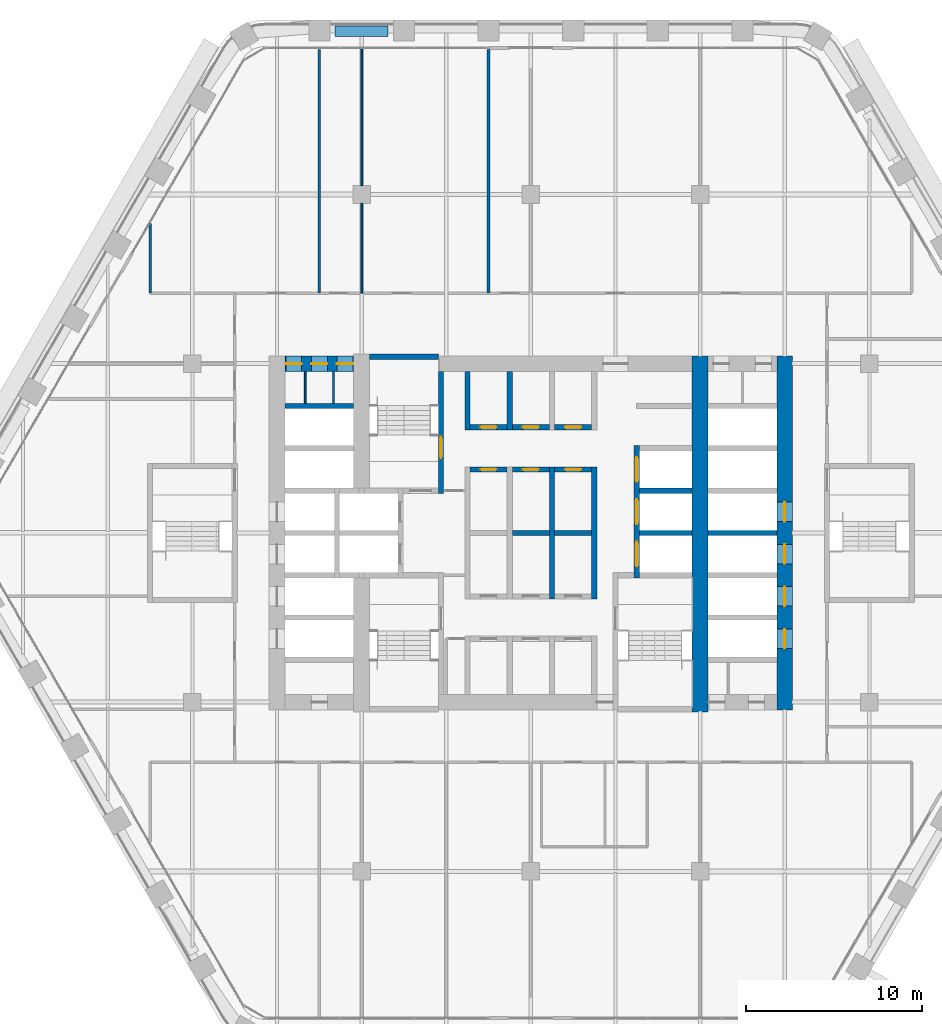
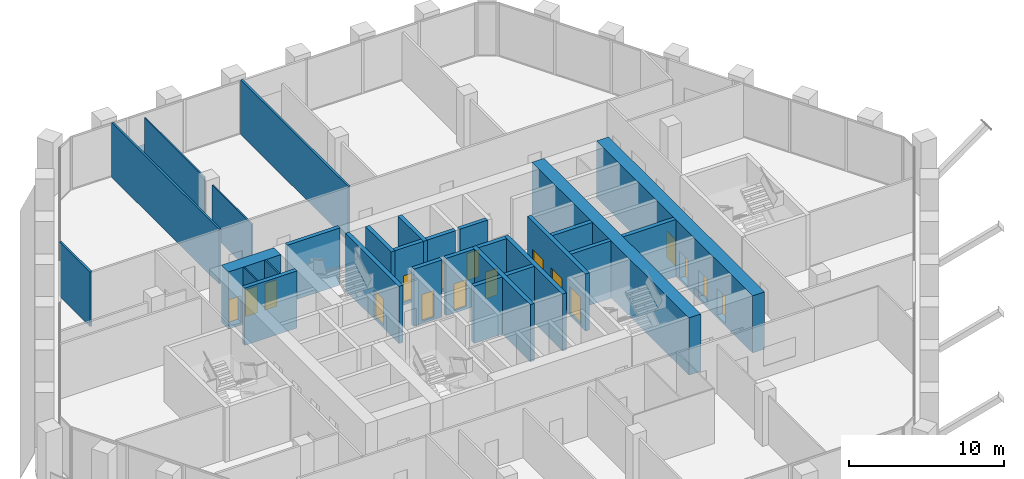
# One storey, part 16 of 24: 30 walls, 17 doors, 17 openings.
"""IFC4 building model written with IfcOpenShell, lengths in metres."""

import ifcopenshell
import ifcopenshell.guid

model = None  # the IFC model being written
_history = None  # IfcOwnerHistory: only IFC2X3 demands one
_inside = {}  # id of a spatial element -> (the spatial element, [elements in it])
_under = {}  # id of a project, library or spatial element -> (it, [spatial elements below it])
_declared = {}  # id of a project -> (the project, [libraries it declares])
_typed = {}  # id of a type object -> (the type object, [elements of that type])
_made_of = {}  # id of a material, layer set ... -> (it, [elements and type objects made of it])


def new_model(schema):
    """Start an empty IFC model of exactly this schema.

    Asked for "IFC4X3", IfcOpenShell would pick the latest addendum, in which some entities
    have other attributes; the version numbers below select the first issue.
    IFC2X3 requires an IfcOwnerHistory on every rooted entity: one is made here for all.
    """
    global model, _history
    if schema == "IFC4X3":
        model = ifcopenshell.file(schema_version=(4, 3, 0, 0))
    else:
        model = ifcopenshell.file(schema=schema)
    _inside.clear()
    _under.clear()
    _declared.clear()
    _typed.clear()
    _made_of.clear()
    _history = None
    if model.schema == "IFC2X3":
        org = make("IfcOrganization", Name="unknown")
        user = make(
            "IfcPersonAndOrganization",
            ThePerson=make("IfcPerson", FamilyName="unknown"),
            TheOrganization=org,
        )
        app = make(
            "IfcApplication",
            ApplicationDeveloper=org,
            Version="unknown",
            ApplicationFullName="unknown",
            ApplicationIdentifier="unknown",
        )
        _history = make(
            "IfcOwnerHistory",
            OwningUser=user,
            OwningApplication=app,
            ChangeAction="ADDED",
            CreationDate=0,
        )
    return model


def make(cls, **values):
    """One entity of the class cls with the attributes given. An attribute that is None is left unset."""
    return model.create_entity(
        cls, **{name: value for name, value in values.items() if value is not None}
    )


def rooted(cls, **values):
    """An entity with a GlobalId (a new one), such as an element, a storey or a relation."""
    return make(cls, GlobalId=ifcopenshell.guid.new(), OwnerHistory=_history, **values)


def si_unit(unit_type, name, prefix=None):
    """IfcSIUnit, for example si_unit("LENGTHUNIT", "METRE", prefix="MILLI")."""
    return make("IfcSIUnit", UnitType=unit_type, Prefix=prefix, Name=name)


def assignment(units):
    """IfcUnitAssignment: the units of a project."""
    return None if units is None else make("IfcUnitAssignment", Units=units)


def point(xyz):
    """IfcCartesianPoint."""
    return None if xyz is None else make("IfcCartesianPoint", Coordinates=xyz)


def direction(xyz):
    """IfcDirection."""
    return None if xyz is None else make("IfcDirection", DirectionRatios=xyz)


def frame(location, z_axis=None, x_axis=None):
    """IfcAxis2Placement3D, a coordinate frame: its origin and axes. An axis left out is left unset."""
    return make(
        "IfcAxis2Placement3D",
        Location=point(location),
        Axis=direction(z_axis),
        RefDirection=direction(x_axis),
    )


def frame_2d(location, x_axis=None):
    """IfcAxis2Placement2D, a coordinate frame in the plane: its origin and x axis."""
    return make(
        "IfcAxis2Placement2D", Location=point(location), RefDirection=direction(x_axis)
    )


def origin():
    """The frame at (0, 0, 0) with its axes left unset."""
    return frame((0.0, 0.0, 0.0))


def place(relative_to, where):
    """IfcLocalPlacement: puts the frame where relative to a parent placement (None: the world)."""
    return make(
        "IfcLocalPlacement", PlacementRelTo=relative_to, RelativePlacement=where
    )


def context(
    kind, dimensions, precision=None, world=None, true_north=None, identifier=None
):
    """IfcGeometricRepresentationContext, for example the 3D "Model" context."""
    return make(
        "IfcGeometricRepresentationContext",
        ContextIdentifier=identifier,
        ContextType=kind,
        CoordinateSpaceDimension=dimensions,
        Precision=precision,
        WorldCoordinateSystem=world,
        TrueNorth=true_north,
    )


def subcontext(parent, identifier, kind, view, scale=None):
    """IfcGeometricRepresentationSubContext, for example "Body" below "Model"."""
    return make(
        "IfcGeometricRepresentationSubContext",
        ContextIdentifier=identifier,
        ContextType=kind,
        ParentContext=parent,
        TargetScale=scale,
        TargetView=view,
    )


def project(units=None, contexts=None):
    """IfcProject with its units and contexts."""
    return rooted(
        "IfcProject",
        Name="project",
        RepresentationContexts=contexts,
        UnitsInContext=assignment(units),
    )


def spatial(cls, under=None, at=None, **own):
    """A site, building, storey or space (cls), placed at a placement, below another one or the project."""
    s = rooted(cls, ObjectPlacement=at, **own)
    if under is not None:
        _under.setdefault(under.id(), (under, []))[1].append(s)
    return s


def profile(cls, at=None, kind="AREA", **sizes):
    """A parametric profile (cls). Its sizes go by their IFC names, for example OverallWidth=200.0."""
    return make(cls, ProfileType=kind, Position=at, **sizes)


def rectangle(**sizes):
    """IfcRectangleProfileDef."""
    return profile("IfcRectangleProfileDef", **sizes)


def extrude(swept, where, along, depth):
    """IfcExtrudedAreaSolid: the profile swept, set in the frame where, extruded along a direction by depth."""
    return make(
        "IfcExtrudedAreaSolid",
        SweptArea=swept,
        Position=where,
        ExtrudedDirection=direction(along),
        Depth=depth,
    )


def shape(context_of_items, identifier, shape_type, items):
    """IfcShapeRepresentation: the items that make up one representation, for example the "Body"."""
    return make(
        "IfcShapeRepresentation",
        ContextOfItems=context_of_items,
        RepresentationIdentifier=identifier,
        RepresentationType=shape_type,
        Items=items,
    )


def material(Name=None, Category=None):
    """IfcMaterial."""
    return make("IfcMaterial", Name=Name, Category=Category)


def layer(
    of_material, thickness, ventilated=None, Name=None, Category=None, Priority=None
):
    """IfcMaterialLayer: one layer of a wall or slab, of a material (None: an air gap)."""
    return make(
        "IfcMaterialLayer",
        Material=of_material,
        LayerThickness=thickness,
        IsVentilated=ventilated,
        Name=Name,
        Category=Category,
        Priority=Priority,
    )


def layer_set(layers, Name=None):
    """IfcMaterialLayerSet."""
    return make("IfcMaterialLayerSet", MaterialLayers=layers, LayerSetName=Name)


def made_of(thing, what):
    """Note that an element or type object is made of a material, layer set ...; save() writes the relation."""
    if what is not None:
        _made_of.setdefault(what.id(), (what, []))[1].append(thing)
    return thing


def type_object(cls, material=None, **own):
    """A type object (cls), such as IfcWallType, which elements share."""
    return made_of(rooted(cls, **own), material)


def element(
    cls,
    number,
    at=None,
    inside=None,
    cuts=None,
    type_object=None,
    material=None,
    context=None,
    identifier="Body",
    shape_type=None,
    held_by="IfcProductDefinitionShape",
    body=None,
    shapes=None,
    **own,
):
    """One element of the class cls, such as IfcWall. Its Tag is "e" and its number.

    at: its placement. inside: the storey or other place that contains it. cuts: it is an
    opening in that element (IfcRelVoidsElement). A single representation is given by context,
    identifier, shape_type and body (its items); several are given by shapes. held_by: the class
    of the entity that holds the representations. save() writes the other relations.
    """
    e = rooted(cls, Tag="e%d" % number, ObjectPlacement=at, **own)
    if body is not None:
        shapes = [shape(context, identifier, shape_type, body)]
    if shapes is not None:
        e.Representation = make(held_by, Representations=shapes)
    if inside is not None:
        _inside.setdefault(inside.id(), (inside, []))[1].append(e)
    if cuts is not None:
        rooted(
            "IfcRelVoidsElement", RelatingBuildingElement=cuts, RelatedOpeningElement=e
        )
    if type_object is not None:
        _typed.setdefault(type_object.id(), (type_object, []))[1].append(e)
    return made_of(e, material)


def fill(opening, filler):
    """IfcRelFillsElement: the door or window that sits in an opening."""
    return rooted(
        "IfcRelFillsElement",
        RelatingOpeningElement=opening,
        RelatedBuildingElement=filler,
    )


def aggregate(whole, parts):
    """IfcRelAggregates: a whole, such as a stair, and the parts it consists of."""
    return rooted("IfcRelAggregates", RelatingObject=whole, RelatedObjects=parts)


def save(model, path):
    """Write the relations noted so far, then the file.

    IfcRelAggregates (storeys below a building ...), IfcRelContainedInSpatialStructure (elements
    in a storey), IfcRelDefinesByType, IfcRelAssociatesMaterial and IfcRelDeclares: one each for
    every whole, place, type object, material and project.
    """
    for whole, parts in _under.values():
        aggregate(whole, parts)
    for where, things in _inside.values():
        rooted(
            "IfcRelContainedInSpatialStructure",
            RelatedElements=things,
            RelatingStructure=where,
        )
    for kind, things in _typed.values():
        rooted("IfcRelDefinesByType", RelatedObjects=things, RelatingType=kind)
    for what, things in _made_of.values():
        rooted("IfcRelAssociatesMaterial", RelatedObjects=things, RelatingMaterial=what)
    for by, libraries in _declared.values():
        rooted("IfcRelDeclares", RelatingContext=by, RelatedDefinitions=libraries)
    model.write(path)


model = new_model("IFC4")

# Units and contexts
model_context = context("Model", 3, precision=1e-05, world=origin(), true_north=direction((0.0, 1.0)))
body_context = subcontext(model_context, "Body", "Model", "MODEL_VIEW")
ifc_project = project(units=[si_unit("LENGTHUNIT", "METRE"), si_unit("AREAUNIT", "SQUARE_METRE"), si_unit("VOLUMEUNIT", "CUBIC_METRE"), si_unit("PLANEANGLEUNIT", "RADIAN"), si_unit("MASSUNIT", "GRAM", prefix="KILO")], contexts=[model_context])

# Site, building, storey
site_placement = place(None, origin())
site = spatial("IfcSite", under=ifc_project, at=site_placement, CompositionType="ELEMENT")
building_placement = place(site_placement, origin())
building = spatial("IfcBuilding", under=site, at=building_placement, Name="Kolab Exchange Tower", CompositionType="ELEMENT")
storey_placement = place(building_placement, frame((0.0, 0.0, 86.89990234375)))
storey = spatial("IfcBuildingStorey", under=building, at=storey_placement, Name="L16", CompositionType="ELEMENT", Elevation=86.89990234375)

# Wall, openings, doors
ifc_material_1 = material(Name="Concrete C70/85", Category="concrete")
ifc_layer_1 = layer(ifc_material_1, 0.89990234375)
ifc_layer_set_1 = layer_set([ifc_layer_1], Name="Concrete C70/85")
wall_type_1 = type_object("IfcWallType", Name="CORE WALL 900 C70/85", PredefinedType="SHEAR", material=ifc_layer_set_1)
wall_1_placement = place(storey_placement, frame((-13.949951171875, 9.60009765625, -0.199951171875), z_axis=(0.0, 0.0, 1.0), x_axis=(1.0, 0.0, 0.0)))
wall_1 = element("IfcWall", 1, at=wall_1_placement, inside=storey, type_object=wall_type_1, Name="wall/L16/core/051", PredefinedType="SHEAR", context=body_context, shape_type="SweptSolid", body=[
    extrude(rectangle(XDim=3.89990234375, YDim=0.89990234375, at=frame_2d((1.949951171875, 0.0))), origin(), (0.0, 0.0, 1.0), 4.5),
])
opening_1_placement = place(wall_1_placement, frame((0.050048828125, 0.0, 0.199951171875)))
opening_1 = element("IfcOpeningElement", 2, at=opening_1_placement, cuts=wall_1, Name="Opening D6-217", PredefinedType="OPENING", context=body_context, shape_type="SweptSolid", body=[
    extrude(rectangle(XDim=0.89990234375, YDim=2.10009765625, at=frame_2d((0.449951171875, 1.050048828125))), frame((0.0, 0.4599609375, 0.0), z_axis=(0.0, -1.0, 0.0), x_axis=(1.0, 0.0, 0.0)), (0.0, 0.0, 1.0), 0.919921875),
])
opening_2_placement = place(wall_1_placement, frame((1.5, 0.0, 0.199951171875)))
opening_2 = element("IfcOpeningElement", 3, at=opening_2_placement, cuts=wall_1, Name="Opening D6-218", PredefinedType="OPENING", context=body_context, shape_type="SweptSolid", body=[
    extrude(rectangle(XDim=0.89990234375, YDim=2.10009765625, at=frame_2d((0.449951171875, 1.050048828125))), frame((0.0, 0.4599609375, 0.0), z_axis=(0.0, -1.0, 0.0), x_axis=(1.0, 0.0, 0.0)), (0.0, 0.0, 1.0), 0.919921875),
])
opening_3_placement = place(wall_1_placement, frame((2.949951171875, 0.0, 0.199951171875)))
opening_3 = element("IfcOpeningElement", 4, at=opening_3_placement, cuts=wall_1, Name="Opening D6-206", PredefinedType="OPENING", context=body_context, shape_type="SweptSolid", body=[
    extrude(rectangle(XDim=0.89990234375, YDim=2.10009765625, at=frame_2d((0.449951171875, 1.050048828125))), frame((0.0, 0.4599609375, 0.0), z_axis=(0.0, -1.0, 0.0), x_axis=(1.0, 0.0, 0.0)), (0.0, 0.0, 1.0), 0.919921875),
])
ifc_material_2 = material(Name="Steel S235", Category="steel")
door_type_1 = type_object("IfcDoorType", Name="CORE DOOR 900 EI 120", OperationType="SINGLE_SWING_LEFT", PredefinedType="DOOR", material=ifc_material_2)
door_1_placement = place(opening_1_placement, frame((0.89990234375, 0.0, 0.0), z_axis=(0.0, 0.0, 1.0), x_axis=(-1.0, 0.0, 0.0)))
door_1 = element("IfcDoor", 5, at=door_1_placement, inside=storey, type_object=door_type_1, Name="Service room door", OperationType="SINGLE_SWING_RIGHT", OverallHeight=2.10009765625, OverallWidth=0.89990234375, PredefinedType="DOOR", context=body_context, shape_type="SweptSolid", body=[
    extrude(rectangle(XDim=0.89990234375, YDim=2.10009765625, at=frame_2d((0.449951171875, 1.050048828125))), frame((0.0, 0.02490234375, 0.0), z_axis=(0.0, -1.0, 0.0), x_axis=(1.0, 0.0, 0.0)), (0.0, 0.0, 1.0), 0.050048828125),
])
fill(opening_1, door_1)
door_2_placement = place(opening_2_placement, frame((0.89990234375, 0.0, 0.0), z_axis=(0.0, 0.0, 1.0), x_axis=(-1.0, 0.0, 0.0)))
door_2 = element("IfcDoor", 6, at=door_2_placement, inside=storey, type_object=door_type_1, Name="Service room door", OperationType="SINGLE_SWING_LEFT", OverallHeight=2.10009765625, OverallWidth=0.89990234375, PredefinedType="DOOR", context=body_context, shape_type="SweptSolid", body=[
    extrude(rectangle(XDim=0.89990234375, YDim=2.10009765625, at=frame_2d((0.449951171875, 1.050048828125))), frame((0.0, 0.02490234375, 0.0), z_axis=(0.0, -1.0, 0.0), x_axis=(1.0, 0.0, 0.0)), (0.0, 0.0, 1.0), 0.050048828125),
])
fill(opening_2, door_2)
door_3_placement = place(opening_3_placement, frame((0.89990234375, 0.0, 0.0), z_axis=(0.0, 0.0, 1.0), x_axis=(-1.0, 0.0, 0.0)))
door_3 = element("IfcDoor", 7, at=door_3_placement, inside=storey, type_object=door_type_1, Name="Service room door", OperationType="SINGLE_SWING_LEFT", OverallHeight=2.10009765625, OverallWidth=0.89990234375, PredefinedType="DOOR", context=body_context, shape_type="SweptSolid", body=[
    extrude(rectangle(XDim=0.89990234375, YDim=2.10009765625, at=frame_2d((0.449951171875, 1.050048828125))), frame((0.0, 0.02490234375, 0.0), z_axis=(0.0, -1.0, 0.0), x_axis=(1.0, 0.0, 0.0)), (0.0, 0.0, 1.0), 0.050048828125),
])
fill(opening_3, door_3)

# Wall
wall_2_placement = place(storey_placement, frame((9.60009765625, -10.14990234375, -0.199951171875), z_axis=(0.0, 0.0, 1.0), x_axis=(0.0, 1.0, 0.0)))
element("IfcWall", 8, at=wall_2_placement, inside=storey, type_object=wall_type_1, Name="wall/L16/core/080", PredefinedType="SHEAR", context=body_context, shape_type="SweptSolid", body=[
    extrude(rectangle(XDim=20.199951171875, YDim=0.89990234375, at=frame_2d((10.10009765625, 0.0))), origin(), (0.0, 0.0, 1.0), 4.5),
])

# Wall, openings, doors
wall_3_placement = place(storey_placement, frame((14.39990234375, -10.050048828125, -0.199951171875), z_axis=(0.0, 0.0, 1.0), x_axis=(0.0, 1.0, 0.0)))
wall_3 = element("IfcWall", 9, at=wall_3_placement, inside=storey, type_object=wall_type_1, Name="wall/L16/core/081", PredefinedType="SHEAR", context=body_context, shape_type="SweptSolid", body=[
    extrude(rectangle(XDim=20.10009765625, YDim=0.89990234375, at=frame_2d((10.050048828125, 0.0))), origin(), (0.0, 0.0, 1.0), 4.5),
])
opening_4_placement = place(wall_3_placement, frame((3.5, 0.0, 0.199951171875)))
opening_4 = element("IfcOpeningElement", 10, at=opening_4_placement, cuts=wall_3, Name="Opening LD1-069", PredefinedType="OPENING", context=body_context, shape_type="SweptSolid", body=[
    extrude(rectangle(XDim=1.10009765625, YDim=2.10009765625, at=frame_2d((0.550048828125, 1.050048828125))), frame((0.0, 0.4599609375, 0.0), z_axis=(0.0, -1.0, 0.0), x_axis=(1.0, 0.0, 0.0)), (0.0, 0.0, 1.0), 0.919921875),
])
opening_5_placement = place(wall_3_placement, frame((5.89990234375, 0.0, 0.199951171875)))
opening_5 = element("IfcOpeningElement", 11, at=opening_5_placement, cuts=wall_3, Name="Opening LD1-070", PredefinedType="OPENING", context=body_context, shape_type="SweptSolid", body=[
    extrude(rectangle(XDim=1.10009765625, YDim=2.10009765625, at=frame_2d((0.550048828125, 1.050048828125))), frame((0.0, 0.4599609375, 0.0), z_axis=(0.0, -1.0, 0.0), x_axis=(1.0, 0.0, 0.0)), (0.0, 0.0, 1.0), 0.919921875),
])
opening_6_placement = place(wall_3_placement, frame((8.300048828125, 0.0, 0.199951171875)))
opening_6 = element("IfcOpeningElement", 12, at=opening_6_placement, cuts=wall_3, Name="Opening LD1-071", PredefinedType="OPENING", context=body_context, shape_type="SweptSolid", body=[
    extrude(rectangle(XDim=1.10009765625, YDim=2.10009765625, at=frame_2d((0.550048828125, 1.050048828125))), frame((0.0, 0.4599609375, 0.0), z_axis=(0.0, -1.0, 0.0), x_axis=(1.0, 0.0, 0.0)), (0.0, 0.0, 1.0), 0.919921875),
])
opening_7_placement = place(wall_3_placement, frame((10.699951171875, 0.0, 0.199951171875)))
opening_7 = element("IfcOpeningElement", 13, at=opening_7_placement, cuts=wall_3, Name="Opening LD1-072", PredefinedType="OPENING", context=body_context, shape_type="SweptSolid", body=[
    extrude(rectangle(XDim=1.10009765625, YDim=2.10009765625, at=frame_2d((0.550048828125, 1.050048828125))), frame((0.0, 0.4599609375, 0.0), z_axis=(0.0, -1.0, 0.0), x_axis=(1.0, 0.0, 0.0)), (0.0, 0.0, 1.0), 0.919921875),
])
ifc_material_3 = material(Name="Stainless steel 316", Category="steel")
door_type_2 = type_object("IfcDoorType", Name="LANDING DOOR 1100 PASSENGER", OperationType="DOUBLE_DOOR_SLIDING", PredefinedType="DOOR", material=ifc_material_3)
door_4_placement = place(opening_4_placement, origin())
door_4 = element("IfcDoor", 14, at=door_4_placement, inside=storey, type_object=door_type_2, Name="Landing door LR1", OperationType="DOUBLE_DOOR_SLIDING", OverallHeight=2.10009765625, OverallWidth=1.10009765625, PredefinedType="DOOR", context=body_context, shape_type="SweptSolid", body=[
    extrude(rectangle(XDim=1.10009765625, YDim=2.10009765625, at=frame_2d((0.550048828125, 1.050048828125))), frame((0.0, 0.02490234375, 0.0), z_axis=(0.0, -1.0, 0.0), x_axis=(1.0, 0.0, 0.0)), (0.0, 0.0, 1.0), 0.050048828125),
])
fill(opening_4, door_4)
door_5_placement = place(opening_5_placement, origin())
door_5 = element("IfcDoor", 15, at=door_5_placement, inside=storey, type_object=door_type_2, Name="Landing door LR2", OperationType="DOUBLE_DOOR_SLIDING", OverallHeight=2.10009765625, OverallWidth=1.10009765625, PredefinedType="DOOR", context=body_context, shape_type="SweptSolid", body=[
    extrude(rectangle(XDim=1.10009765625, YDim=2.10009765625, at=frame_2d((0.550048828125, 1.050048828125))), frame((0.0, 0.02490234375, 0.0), z_axis=(0.0, -1.0, 0.0), x_axis=(1.0, 0.0, 0.0)), (0.0, 0.0, 1.0), 0.050048828125),
])
fill(opening_5, door_5)
door_6_placement = place(opening_6_placement, origin())
door_6 = element("IfcDoor", 16, at=door_6_placement, inside=storey, type_object=door_type_2, Name="Landing door LR3", OperationType="DOUBLE_DOOR_SLIDING", OverallHeight=2.10009765625, OverallWidth=1.10009765625, PredefinedType="DOOR", context=body_context, shape_type="SweptSolid", body=[
    extrude(rectangle(XDim=1.10009765625, YDim=2.10009765625, at=frame_2d((0.550048828125, 1.050048828125))), frame((0.0, 0.02490234375, 0.0), z_axis=(0.0, -1.0, 0.0), x_axis=(1.0, 0.0, 0.0)), (0.0, 0.0, 1.0), 0.050048828125),
])
fill(opening_6, door_6)
door_7_placement = place(opening_7_placement, origin())
door_7 = element("IfcDoor", 17, at=door_7_placement, inside=storey, type_object=door_type_2, Name="Landing door LR4", OperationType="DOUBLE_DOOR_SLIDING", OverallHeight=2.10009765625, OverallWidth=1.10009765625, PredefinedType="DOOR", context=body_context, shape_type="SweptSolid", body=[
    extrude(rectangle(XDim=1.10009765625, YDim=2.10009765625, at=frame_2d((0.550048828125, 1.050048828125))), frame((0.0, 0.02490234375, 0.0), z_axis=(0.0, -1.0, 0.0), x_axis=(1.0, 0.0, 0.0)), (0.0, 0.0, 1.0), 0.050048828125),
])
fill(opening_7, door_7)

# Walls
ifc_material_4 = material(Name="Concrete C50/60", Category="concrete")
ifc_layer_2 = layer(ifc_material_4, 0.300048828125)
ifc_layer_set_2 = layer_set([ifc_layer_2], Name="Concrete C50/60")
wall_type_2 = type_object("IfcWallType", Name="LIFT SHAFT WALL 300 C50/60", PredefinedType="STANDARD", material=ifc_layer_set_2)
wall_4_placement = place(storey_placement, frame((-1.050048828125, 0.0, -0.199951171875), z_axis=(0.0, 0.0, 1.0), x_axis=(1.0, 0.0, 0.0)))
element("IfcWall", 18, at=wall_4_placement, inside=storey, type_object=wall_type_2, Name="wall/L16/core/027", PredefinedType="STANDARD", context=body_context, shape_type="SweptSolid", body=[
    extrude(rectangle(XDim=2.10009765625, YDim=0.300048828125, at=frame_2d((1.050048828125, 0.0))), origin(), (0.0, 0.0, 1.0), 4.5),
])
wall_5_placement = place(storey_placement, frame((1.35009765625, 0.0, -0.199951171875), z_axis=(0.0, 0.0, 1.0), x_axis=(1.0, 0.0, 0.0)))
element("IfcWall", 19, at=wall_5_placement, inside=storey, type_object=wall_type_2, Name="wall/L16/core/028", PredefinedType="STANDARD", context=body_context, shape_type="SweptSolid", body=[
    extrude(rectangle(XDim=2.099853515625, YDim=0.300048828125, at=frame_2d((1.0498046875, 0.0))), origin(), (0.0, 0.0, 1.0), 4.5),
])
wall_6_placement = place(storey_placement, frame((6.14990234375, 0.0, -0.199951171875), z_axis=(0.0, 0.0, 1.0), x_axis=(1.0, 0.0, 0.0)))
element("IfcWall", 20, at=wall_6_placement, inside=storey, type_object=wall_type_2, Name="wall/L16/core/029", PredefinedType="STANDARD", context=body_context, shape_type="SweptSolid", body=[
    extrude(rectangle(XDim=3.0, YDim=0.300048828125, at=frame_2d((1.5, 0.0))), origin(), (0.0, 0.0, 1.0), 4.5),
])
wall_7_placement = place(storey_placement, frame((10.050048828125, 0.0, -0.199951171875), z_axis=(0.0, 0.0, 1.0), x_axis=(1.0, 0.0, 0.0)))
element("IfcWall", 21, at=wall_7_placement, inside=storey, type_object=wall_type_2, Name="wall/L16/core/030", PredefinedType="STANDARD", context=body_context, shape_type="SweptSolid", body=[
    extrude(rectangle(XDim=3.89990234375, YDim=0.300048828125, at=frame_2d((1.949951171875, 0.0))), origin(), (0.0, 0.0, 1.0), 4.5),
])
wall_8_placement = place(storey_placement, frame((6.14990234375, 2.39990234375, -0.199951171875), z_axis=(0.0, 0.0, 1.0), x_axis=(1.0, 0.0, 0.0)))
element("IfcWall", 22, at=wall_8_placement, inside=storey, type_object=wall_type_2, Name="wall/L16/core/035", PredefinedType="STANDARD", context=body_context, shape_type="SweptSolid", body=[
    extrude(rectangle(XDim=3.0, YDim=0.300048828125, at=frame_2d((1.5, 0.0))), origin(), (0.0, 0.0, 1.0), 4.5),
])

# Wall, opening, door
wall_9_placement = place(storey_placement, frame((-3.449951171875, 3.60009765625, -0.199951171875), z_axis=(0.0, 0.0, 1.0), x_axis=(1.0, 0.0, 0.0)))
wall_9 = element("IfcWall", 23, at=wall_9_placement, inside=storey, type_object=wall_type_2, Name="wall/L16/core/037", PredefinedType="STANDARD", context=body_context, shape_type="SweptSolid", body=[
    extrude(rectangle(XDim=2.099853515625, YDim=0.300048828125, at=frame_2d((1.0498046875, 0.0))), origin(), (0.0, 0.0, 1.0), 4.5),
])
opening_8_placement = place(wall_9_placement, frame((0.60009765625, 0.0, 0.199951171875)))
opening_8 = element("IfcOpeningElement", 24, at=opening_8_placement, cuts=wall_9, Name="Opening D6-196", PredefinedType="OPENING", context=body_context, shape_type="SweptSolid", body=[
    extrude(rectangle(XDim=0.89990234375, YDim=2.10009765625, at=frame_2d((0.449951171875, 1.050048828125))), frame((0.0, 0.16015625, 0.0), z_axis=(0.0, -1.0, 0.0), x_axis=(1.0, 0.0, 0.0)), (0.0, 0.0, 1.0), 0.320068359375),
])
door_8_placement = place(opening_8_placement, frame((0.89990234375, 0.0, 0.0), z_axis=(0.0, 0.0, 1.0), x_axis=(-1.0, 0.0, 0.0)))
door_8 = element("IfcDoor", 25, at=door_8_placement, inside=storey, type_object=door_type_1, Name="Service room door", OperationType="SINGLE_SWING_LEFT", OverallHeight=2.10009765625, OverallWidth=0.89990234375, PredefinedType="DOOR", context=body_context, shape_type="SweptSolid", body=[
    extrude(rectangle(XDim=0.89990234375, YDim=2.10009765625, at=frame_2d((0.449951171875, 1.050048828125))), frame((0.0, 0.02490234375, 0.0), z_axis=(0.0, -1.0, 0.0), x_axis=(1.0, 0.0, 0.0)), (0.0, 0.0, 1.0), 0.050048828125),
])
fill(opening_8, door_8)

wall_10_placement = place(storey_placement, frame((-1.050048828125, 3.60009765625, -0.199951171875), z_axis=(0.0, 0.0, 1.0), x_axis=(1.0, 0.0, 0.0)))
wall_10 = element("IfcWall", 26, at=wall_10_placement, inside=storey, type_object=wall_type_2, Name="wall/L16/core/038", PredefinedType="STANDARD", context=body_context, shape_type="SweptSolid", body=[
    extrude(rectangle(XDim=2.10009765625, YDim=0.300048828125, at=frame_2d((1.050048828125, 0.0))), origin(), (0.0, 0.0, 1.0), 4.5),
])
opening_9_placement = place(wall_10_placement, frame((0.60009765625, 0.0, 0.199951171875)))
opening_9 = element("IfcOpeningElement", 27, at=opening_9_placement, cuts=wall_10, Name="Opening D6-195", PredefinedType="OPENING", context=body_context, shape_type="SweptSolid", body=[
    extrude(rectangle(XDim=0.89990234375, YDim=2.10009765625, at=frame_2d((0.449951171875, 1.050048828125))), frame((0.0, 0.16015625, 0.0), z_axis=(0.0, -1.0, 0.0), x_axis=(1.0, 0.0, 0.0)), (0.0, 0.0, 1.0), 0.320068359375),
])
door_9_placement = place(opening_9_placement, frame((0.89990234375, 0.0, 0.0), z_axis=(0.0, 0.0, 1.0), x_axis=(-1.0, 0.0, 0.0)))
door_9 = element("IfcDoor", 28, at=door_9_placement, inside=storey, type_object=door_type_1, Name="Service room door", OperationType="SINGLE_SWING_LEFT", OverallHeight=2.10009765625, OverallWidth=0.89990234375, PredefinedType="DOOR", context=body_context, shape_type="SweptSolid", body=[
    extrude(rectangle(XDim=0.89990234375, YDim=2.10009765625, at=frame_2d((0.449951171875, 1.050048828125))), frame((0.0, 0.02490234375, 0.0), z_axis=(0.0, -1.0, 0.0), x_axis=(1.0, 0.0, 0.0)), (0.0, 0.0, 1.0), 0.050048828125),
])
fill(opening_9, door_9)

wall_11_placement = place(storey_placement, frame((1.35009765625, 3.60009765625, -0.199951171875), z_axis=(0.0, 0.0, 1.0), x_axis=(1.0, 0.0, 0.0)))
wall_11 = element("IfcWall", 29, at=wall_11_placement, inside=storey, type_object=wall_type_2, Name="wall/L16/core/039", PredefinedType="STANDARD", context=body_context, shape_type="SweptSolid", body=[
    extrude(rectangle(XDim=2.099853515625, YDim=0.300048828125, at=frame_2d((1.0498046875, 0.0))), origin(), (0.0, 0.0, 1.0), 4.5),
])
opening_10_placement = place(wall_11_placement, frame((0.60009765625, 0.0, 0.199951171875)))
opening_10 = element("IfcOpeningElement", 30, at=opening_10_placement, cuts=wall_11, Name="Opening D6-194", PredefinedType="OPENING", context=body_context, shape_type="SweptSolid", body=[
    extrude(rectangle(XDim=0.89990234375, YDim=2.10009765625, at=frame_2d((0.449951171875, 1.050048828125))), frame((0.0, 0.16015625, 0.0), z_axis=(0.0, -1.0, 0.0), x_axis=(1.0, 0.0, 0.0)), (0.0, 0.0, 1.0), 0.320068359375),
])
door_10_placement = place(opening_10_placement, frame((0.89990234375, 0.0, 0.0), z_axis=(0.0, 0.0, 1.0), x_axis=(-1.0, 0.0, 0.0)))
door_10 = element("IfcDoor", 31, at=door_10_placement, inside=storey, type_object=door_type_1, Name="Service room door", OperationType="SINGLE_SWING_RIGHT", OverallHeight=2.10009765625, OverallWidth=0.89990234375, PredefinedType="DOOR", context=body_context, shape_type="SweptSolid", body=[
    extrude(rectangle(XDim=0.89990234375, YDim=2.10009765625, at=frame_2d((0.449951171875, 1.050048828125))), frame((0.0, 0.02490234375, 0.0), z_axis=(0.0, -1.0, 0.0), x_axis=(1.0, 0.0, 0.0)), (0.0, 0.0, 1.0), 0.050048828125),
])
fill(opening_10, door_10)

wall_12_placement = place(storey_placement, frame((-3.449951171875, 6.0, -0.199951171875), z_axis=(0.0, 0.0, 1.0), x_axis=(1.0, 0.0, 0.0)))
wall_12 = element("IfcWall", 32, at=wall_12_placement, inside=storey, type_object=wall_type_2, Name="wall/L16/core/045", PredefinedType="STANDARD", context=body_context, shape_type="SweptSolid", body=[
    extrude(rectangle(XDim=2.099853515625, YDim=0.300048828125, at=frame_2d((1.0498046875, 0.0))), origin(), (0.0, 0.0, 1.0), 4.5),
])
opening_11_placement = place(wall_12_placement, frame((0.60009765625, 0.0, 0.199951171875)))
opening_11 = element("IfcOpeningElement", 33, at=opening_11_placement, cuts=wall_12, Name="Opening D6-193", PredefinedType="OPENING", context=body_context, shape_type="SweptSolid", body=[
    extrude(rectangle(XDim=0.89990234375, YDim=2.10009765625, at=frame_2d((0.449951171875, 1.050048828125))), frame((0.0, 0.16015625, 0.0), z_axis=(0.0, -1.0, 0.0), x_axis=(1.0, 0.0, 0.0)), (0.0, 0.0, 1.0), 0.320068359375),
])
door_11_placement = place(opening_11_placement, origin())
door_11 = element("IfcDoor", 34, at=door_11_placement, inside=storey, type_object=door_type_1, Name="Service room door", OperationType="SINGLE_SWING_LEFT", OverallHeight=2.10009765625, OverallWidth=0.89990234375, PredefinedType="DOOR", context=body_context, shape_type="SweptSolid", body=[
    extrude(rectangle(XDim=0.89990234375, YDim=2.10009765625, at=frame_2d((0.449951171875, 1.050048828125))), frame((0.0, 0.02490234375, 0.0), z_axis=(0.0, -1.0, 0.0), x_axis=(1.0, 0.0, 0.0)), (0.0, 0.0, 1.0), 0.050048828125),
])
fill(opening_11, door_11)

wall_13_placement = place(storey_placement, frame((-1.050048828125, 6.0, -0.199951171875), z_axis=(0.0, 0.0, 1.0), x_axis=(1.0, 0.0, 0.0)))
wall_13 = element("IfcWall", 35, at=wall_13_placement, inside=storey, type_object=wall_type_2, Name="wall/L16/core/046", PredefinedType="STANDARD", context=body_context, shape_type="SweptSolid", body=[
    extrude(rectangle(XDim=2.10009765625, YDim=0.300048828125, at=frame_2d((1.050048828125, 0.0))), origin(), (0.0, 0.0, 1.0), 4.5),
])
opening_12_placement = place(wall_13_placement, frame((0.60009765625, 0.0, 0.199951171875)))
opening_12 = element("IfcOpeningElement", 36, at=opening_12_placement, cuts=wall_13, Name="Opening D6-214", PredefinedType="OPENING", context=body_context, shape_type="SweptSolid", body=[
    extrude(rectangle(XDim=0.89990234375, YDim=2.10009765625, at=frame_2d((0.449951171875, 1.050048828125))), frame((0.0, 0.16015625, 0.0), z_axis=(0.0, -1.0, 0.0), x_axis=(1.0, 0.0, 0.0)), (0.0, 0.0, 1.0), 0.320068359375),
])
door_12_placement = place(opening_12_placement, origin())
door_12 = element("IfcDoor", 37, at=door_12_placement, inside=storey, type_object=door_type_1, Name="Service room door", OperationType="SINGLE_SWING_RIGHT", OverallHeight=2.10009765625, OverallWidth=0.89990234375, PredefinedType="DOOR", context=body_context, shape_type="SweptSolid", body=[
    extrude(rectangle(XDim=0.89990234375, YDim=2.10009765625, at=frame_2d((0.449951171875, 1.050048828125))), frame((0.0, 0.02490234375, 0.0), z_axis=(0.0, -1.0, 0.0), x_axis=(1.0, 0.0, 0.0)), (0.0, 0.0, 1.0), 0.050048828125),
])
fill(opening_12, door_12)

wall_14_placement = place(storey_placement, frame((1.35009765625, 6.0, -0.199951171875), z_axis=(0.0, 0.0, 1.0), x_axis=(1.0, 0.0, 0.0)))
wall_14 = element("IfcWall", 38, at=wall_14_placement, inside=storey, type_object=wall_type_2, Name="wall/L16/core/047", PredefinedType="STANDARD", context=body_context, shape_type="SweptSolid", body=[
    extrude(rectangle(XDim=2.099853515625, YDim=0.300048828125, at=frame_2d((1.0498046875, 0.0))), origin(), (0.0, 0.0, 1.0), 4.5),
])
opening_13_placement = place(wall_14_placement, frame((0.60009765625, 0.0, 0.199951171875)))
opening_13 = element("IfcOpeningElement", 39, at=opening_13_placement, cuts=wall_14, Name="Opening D6-191", PredefinedType="OPENING", context=body_context, shape_type="SweptSolid", body=[
    extrude(rectangle(XDim=0.89990234375, YDim=2.10009765625, at=frame_2d((0.449951171875, 1.050048828125))), frame((0.0, 0.16015625, 0.0), z_axis=(0.0, -1.0, 0.0), x_axis=(1.0, 0.0, 0.0)), (0.0, 0.0, 1.0), 0.320068359375),
])
door_13_placement = place(opening_13_placement, origin())
door_13 = element("IfcDoor", 40, at=door_13_placement, inside=storey, type_object=door_type_1, Name="Service room door", OperationType="SINGLE_SWING_RIGHT", OverallHeight=2.10009765625, OverallWidth=0.89990234375, PredefinedType="DOOR", context=body_context, shape_type="SweptSolid", body=[
    extrude(rectangle(XDim=0.89990234375, YDim=2.10009765625, at=frame_2d((0.449951171875, 1.050048828125))), frame((0.0, 0.02490234375, 0.0), z_axis=(0.0, -1.0, 0.0), x_axis=(1.0, 0.0, 0.0)), (0.0, 0.0, 1.0), 0.050048828125),
])
fill(opening_13, door_13)

# Walls
wall_15_placement = place(storey_placement, frame((-13.949951171875, 7.199951171875, -0.199951171875), z_axis=(0.0, 0.0, 1.0), x_axis=(1.0, 0.0, 0.0)))
element("IfcWall", 41, at=wall_15_placement, inside=storey, type_object=wall_type_2, Name="wall/L16/core/048", PredefinedType="STANDARD", context=body_context, shape_type="SweptSolid", body=[
    extrude(rectangle(XDim=3.89990234375, YDim=0.300048828125, at=frame_2d((1.949951171875, 0.0))), origin(), (0.0, 0.0, 1.0), 4.5),
])
for number, where, z_axis, x_axis, name in (
    (42, (-3.60009765625, 5.85009765625, -0.199951171875), (0.0, 0.0, 1.0), (0.0, 1.0, 0.0), "wall/L16/core/068"),
    (43, (-1.199951171875, 5.85009765625, -0.199951171875), (0.0, 0.0, 1.0), (0.0, 1.0, 0.0), "wall/L16/core/071"),
):
    element("IfcWall", number, at=place(storey_placement, frame(where, z_axis=z_axis, x_axis=x_axis)), inside=storey, type_object=wall_type_2, Name=name, PredefinedType="STANDARD", context=body_context, shape_type="SweptSolid", body=[
        extrude(rectangle(XDim=3.2998046875, YDim=0.300048828125, at=frame_2d((1.64990234375, 0.0))), origin(), (0.0, 0.0, 1.0), 4.5),
    ])
for number, where, z_axis, x_axis, name in (
    (44, (1.199951171875, -3.75, -0.199951171875), (0.0, 0.0, 1.0), (0.0, 1.0, 0.0), "wall/L16/core/073"),
    (45, (3.60009765625, -3.75, -0.199951171875), (0.0, 0.0, 1.0), (0.0, 1.0, 0.0), "wall/L16/core/076"),
):
    element("IfcWall", number, at=place(storey_placement, frame(where, z_axis=z_axis, x_axis=x_axis)), inside=storey, type_object=wall_type_2, Name=name, PredefinedType="STANDARD", context=body_context, shape_type="SweptSolid", body=[
        extrude(rectangle(XDim=7.5, YDim=0.300048828125, at=frame_2d((3.75, 0.0))), origin(), (0.0, 0.0, 1.0), 4.5),
    ])

# Wall, openings, doors
wall_16_placement = place(storey_placement, frame((6.0, -2.550048828125, -0.199951171875), z_axis=(0.0, 0.0, 1.0), x_axis=(0.0, 1.0, 0.0)))
wall_16 = element("IfcWall", 46, at=wall_16_placement, inside=storey, type_object=wall_type_2, Name="wall/L16/core/079", PredefinedType="STANDARD", context=body_context, shape_type="SweptSolid", body=[
    extrude(rectangle(XDim=7.5, YDim=0.300048828125, at=frame_2d((3.75, 0.0))), origin(), (0.0, 0.0, 1.0), 4.5),
])
opening_14_placement = place(wall_16_placement, frame((0.64990234375, 0.0, 0.199951171875)))
opening_14 = element("IfcOpeningElement", 47, at=opening_14_placement, cuts=wall_16, Name="Opening LD3-025", PredefinedType="OPENING", context=body_context, shape_type="SweptSolid", body=[
    extrude(rectangle(XDim=1.39990234375, YDim=2.10009765625, at=frame_2d((0.699951171875, 1.050048828125))), frame((0.0, 0.16015625, 0.0), z_axis=(0.0, -1.0, 0.0), x_axis=(1.0, 0.0, 0.0)), (0.0, 0.0, 1.0), 0.320068359375),
])
opening_15_placement = place(wall_16_placement, frame((3.050048828125, 0.0, 0.199951171875)))
opening_15 = element("IfcOpeningElement", 48, at=opening_15_placement, cuts=wall_16, Name="Opening LD3-026", PredefinedType="OPENING", context=body_context, shape_type="SweptSolid", body=[
    extrude(rectangle(XDim=1.39990234375, YDim=2.10009765625, at=frame_2d((0.699951171875, 1.050048828125))), frame((0.0, 0.16015625, 0.0), z_axis=(0.0, -1.0, 0.0), x_axis=(1.0, 0.0, 0.0)), (0.0, 0.0, 1.0), 0.320068359375),
])
opening_16_placement = place(wall_16_placement, frame((5.449951171875, 0.0, 0.199951171875)))
opening_16 = element("IfcOpeningElement", 49, at=opening_16_placement, cuts=wall_16, Name="Opening LD3-027", PredefinedType="OPENING", context=body_context, shape_type="SweptSolid", body=[
    extrude(rectangle(XDim=1.39990234375, YDim=2.10009765625, at=frame_2d((0.699951171875, 1.050048828125))), frame((0.0, 0.16015625, 0.0), z_axis=(0.0, -1.0, 0.0), x_axis=(1.0, 0.0, 0.0)), (0.0, 0.0, 1.0), 0.320068359375),
])
door_type_3 = type_object("IfcDoorType", Name="LANDING DOOR 1400 SERVICE", OperationType="DOUBLE_DOOR_SLIDING", PredefinedType="DOOR", material=ifc_material_3)
door_14_placement = place(opening_14_placement, origin())
door_14 = element("IfcDoor", 50, at=door_14_placement, inside=storey, type_object=door_type_3, Name="Landing door SV1", OperationType="DOUBLE_DOOR_SLIDING", OverallHeight=2.10009765625, OverallWidth=1.39990234375, PredefinedType="DOOR", context=body_context, shape_type="SweptSolid", body=[
    extrude(rectangle(XDim=1.39990234375, YDim=2.10009765625, at=frame_2d((0.699951171875, 1.050048828125))), frame((0.0, 0.02490234375, 0.0), z_axis=(0.0, -1.0, 0.0), x_axis=(1.0, 0.0, 0.0)), (0.0, 0.0, 1.0), 0.050048828125),
])
fill(opening_14, door_14)
door_15_placement = place(opening_15_placement, origin())
door_15 = element("IfcDoor", 51, at=door_15_placement, inside=storey, type_object=door_type_3, Name="Landing door SV2", OperationType="DOUBLE_DOOR_SLIDING", OverallHeight=2.10009765625, OverallWidth=1.39990234375, PredefinedType="DOOR", context=body_context, shape_type="SweptSolid", body=[
    extrude(rectangle(XDim=1.39990234375, YDim=2.10009765625, at=frame_2d((0.699951171875, 1.050048828125))), frame((0.0, 0.02490234375, 0.0), z_axis=(0.0, -1.0, 0.0), x_axis=(1.0, 0.0, 0.0)), (0.0, 0.0, 1.0), 0.050048828125),
])
fill(opening_15, door_15)
door_16_placement = place(opening_16_placement, origin())
door_16 = element("IfcDoor", 52, at=door_16_placement, inside=storey, type_object=door_type_3, Name="Landing door SV3", OperationType="DOUBLE_DOOR_SLIDING", OverallHeight=2.10009765625, OverallWidth=1.39990234375, PredefinedType="DOOR", context=body_context, shape_type="SweptSolid", body=[
    extrude(rectangle(XDim=1.39990234375, YDim=2.10009765625, at=frame_2d((0.699951171875, 1.050048828125))), frame((0.0, 0.02490234375, 0.0), z_axis=(0.0, -1.0, 0.0), x_axis=(1.0, 0.0, 0.0)), (0.0, 0.0, 1.0), 0.050048828125),
])
fill(opening_16, door_16)

# Walls
ifc_material_5 = material(Name="Gypsum board", Category="gypsum")
ifc_layer_3 = layer(ifc_material_5, 0.10009765625)
ifc_layer_set_3 = layer_set([ifc_layer_3], Name="Gypsum board")
wall_type_3 = type_object("IfcWallType", Name="PARTITION 100", PredefinedType="PARTITIONING", material=ifc_layer_set_3)
wall_17_placement = place(storey_placement, frame((-9.60009765625, 13.60009765625, 0.0), z_axis=(0.0, 0.0, 1.0), x_axis=(0.0, 1.0, 0.0)))
element("IfcWall", 53, at=wall_17_placement, inside=storey, type_object=wall_type_3, Name="Partition 020", PredefinedType="PARTITIONING", context=body_context, shape_type="SweptSolid", body=[
    extrude(rectangle(XDim=5.099853515625, YDim=0.10009765625, at=frame_2d((2.5498046875, 0.0))), origin(), (0.0, 0.0, 1.0), 3.843017578125),
])
wall_18_placement = place(storey_placement, frame((-9.60009765625, 19.699951171875, 0.0), z_axis=(0.0, 0.0, 1.0), x_axis=(0.0, 1.0, 0.0)))
element("IfcWall", 54, at=wall_18_placement, inside=storey, type_object=wall_type_3, Name="Partition 021", PredefinedType="PARTITIONING", context=body_context, shape_type="SweptSolid", body=[
    extrude(rectangle(XDim=7.728515625, YDim=0.10009765625, at=frame_2d((3.8642578125, 0.0))), origin(), (0.0, 0.0, 1.0), 3.843017578125),
])
for number, where, z_axis, x_axis, name in (
    (55, (-11.199951171875, 7.35009765625, 0.0), (0.0, 0.0, 1.0), (0.0, 1.0, 0.0), "Partition 024"),
    (56, (-12.800048828125, 7.35009765625, 0.0), (0.0, 0.0, 1.0), (0.0, 1.0, 0.0), "Partition 027"),
):
    element("IfcWall", number, at=place(storey_placement, frame(where, z_axis=z_axis, x_axis=x_axis)), inside=storey, type_object=wall_type_3, Name=name, PredefinedType="PARTITIONING", context=body_context, shape_type="SweptSolid", body=[
        extrude(rectangle(XDim=1.7998046875, YDim=0.10009765625, at=frame_2d((0.89990234375, 0.0))), origin(), (0.0, 0.0, 1.0), 4.300048828125),
    ])
ifc_layer_4 = layer(ifc_material_5, 0.14990234375)
ifc_layer_set_4 = layer_set([ifc_layer_4], Name="Gypsum board")
wall_type_4 = type_object("IfcWallType", Name="PARTITION 150 FIRE-RATED", PredefinedType="PARTITIONING", material=ifc_layer_set_4)
wall_19_placement = place(storey_placement, frame((-2.39990234375, 13.60009765625, 0.0), z_axis=(0.0, 0.0, 1.0), x_axis=(0.0, 1.0, 0.0)))
element("IfcWall", 57, at=wall_19_placement, inside=storey, type_object=wall_type_4, Name="Partition 017", PredefinedType="PARTITIONING", context=body_context, shape_type="SweptSolid", body=[
    extrude(rectangle(XDim=13.83837890625, YDim=0.14990234375, at=frame_2d((6.919189453125, 0.0))), origin(), (0.0, 0.0, 1.0), 4.300048828125),
])
wall_20_placement = place(storey_placement, frame((-12.0, 13.60009765625, 0.0), z_axis=(0.0, 0.0, 1.0), x_axis=(0.0, 1.0, 0.0)))
element("IfcWall", 58, at=wall_20_placement, inside=storey, type_object=wall_type_4, Name="Partition 026", PredefinedType="PARTITIONING", context=body_context, shape_type="SweptSolid", body=[
    extrude(rectangle(XDim=13.828369140625, YDim=0.14990234375, at=frame_2d((6.9140625, 0.0))), origin(), (0.0, 0.0, 1.0), 4.300048828125),
])
wall_21_placement = place(storey_placement, frame((-21.60009765625, 13.60009765625, 0.0), z_axis=(0.0, 0.0, 1.0), x_axis=(0.0, 1.0, 0.0)))
element("IfcWall", 59, at=wall_21_placement, inside=storey, type_object=wall_type_4, Name="Partition 031", PredefinedType="PARTITIONING", context=body_context, shape_type="SweptSolid", body=[
    extrude(rectangle(XDim=3.944580078125, YDim=0.14990234375, at=frame_2d((1.97216796875, 0.0))), origin(), (0.0, 0.0, 1.0), 4.300048828125),
])
ifc_material_6 = material(Name="Granite facing", Category="masonry")
ifc_layer_5 = layer(ifc_material_6, 0.0400390625)
ifc_material_7 = material(Name="Concrete C40/50 precast", Category="concrete")
ifc_layer_6 = layer(ifc_material_7, 0.56005859375)
ifc_layer_set_5 = layer_set([ifc_layer_5, ifc_layer_6], Name="Concrete C40/50 precast")
wall_type_5 = type_object("IfcWallType", Name="PLANTER BOX 600 X 700 SOIL DEPTH 550", PredefinedType="USERDEFINED", material=ifc_layer_set_5)
wall_22_placement = place(storey_placement, frame((-11.10009765625, 28.448486328125, 0.0), z_axis=(0.0, 0.0, 1.0), x_axis=(1.0, 0.0, 0.0)))
element("IfcWall", 60, at=wall_22_placement, inside=storey, type_object=wall_type_5, Name="Planter", ObjectType="PLANTER", PredefinedType="USERDEFINED", context=body_context, shape_type="SweptSolid", body=[
    extrude(rectangle(XDim=3.0, YDim=0.60009765625, at=frame_2d((1.5, 0.0))), origin(), (0.0, 0.0, 1.0), 0.7001953125),
])
ifc_layer_7 = layer(ifc_material_4, 0.300048828125)
ifc_layer_set_6 = layer_set([ifc_layer_7], Name="Concrete C50/60")
wall_type_6 = type_object("IfcWallType", Name="STAIR ENCLOSURE WALL 300 C50/60", PredefinedType="STANDARD", material=ifc_layer_set_6)
wall_23_placement = place(storey_placement, frame((-9.14990234375, 10.0, -0.199951171875), z_axis=(0.0, 0.0, 1.0), x_axis=(1.0, 0.0, 0.0)))
element("IfcWall", 61, at=wall_23_placement, inside=storey, type_object=wall_type_6, Name="wall/L16/core/054", PredefinedType="STANDARD", context=body_context, shape_type="SweptSolid", body=[
    extrude(rectangle(XDim=3.89990234375, YDim=0.300048828125, at=frame_2d((1.949951171875, 0.0))), origin(), (0.0, 0.0, 1.0), 4.5),
])

# Wall, opening, door
wall_24_placement = place(storey_placement, frame((-5.10009765625, 2.25, -0.199951171875), z_axis=(0.0, 0.0, 1.0), x_axis=(0.0, 1.0, 0.0)))
wall_24 = element("IfcWall", 62, at=wall_24_placement, inside=storey, type_object=wall_type_6, Name="wall/L16/core/065", PredefinedType="STANDARD", context=body_context, shape_type="SweptSolid", body=[
    extrude(rectangle(XDim=6.89990234375, YDim=0.300048828125, at=frame_2d((3.449951171875, 0.0))), origin(), (0.0, 0.0, 1.0), 4.5),
])
opening_17_placement = place(wall_24_placement, frame((2.0, 0.0, 0.199951171875)))
opening_17 = element("IfcOpeningElement", 63, at=opening_17_placement, cuts=wall_24, Name="Opening D4-044", PredefinedType="OPENING", context=body_context, shape_type="SweptSolid", body=[
    extrude(rectangle(XDim=1.199951171875, YDim=2.10009765625, at=frame_2d((0.60009765625, 1.050048828125))), frame((0.0, 0.16015625, 0.0), z_axis=(0.0, -1.0, 0.0), x_axis=(1.0, 0.0, 0.0)), (0.0, 0.0, 1.0), 0.320068359375),
])
door_type_4 = type_object("IfcDoorType", Name="STAIR DOOR 1200 EI 120", OperationType="SINGLE_SWING_LEFT", PredefinedType="DOOR", material=ifc_material_2)
door_17_placement = place(opening_17_placement, origin())
door_17 = element("IfcDoor", 64, at=door_17_placement, inside=storey, type_object=door_type_4, Name="Stair 1 door", OperationType="SINGLE_SWING_LEFT", OverallHeight=2.10009765625, OverallWidth=1.199951171875, PredefinedType="DOOR", context=body_context, shape_type="SweptSolid", body=[
    extrude(rectangle(XDim=1.199951171875, YDim=2.10009765625, at=frame_2d((0.60009765625, 1.050048828125))), frame((0.0, 0.02490234375, 0.0), z_axis=(0.0, -1.0, 0.0), x_axis=(1.0, 0.0, 0.0)), (0.0, 0.0, 1.0), 0.050048828125),
])
fill(opening_17, door_17)

save(model, "model.ifc")
